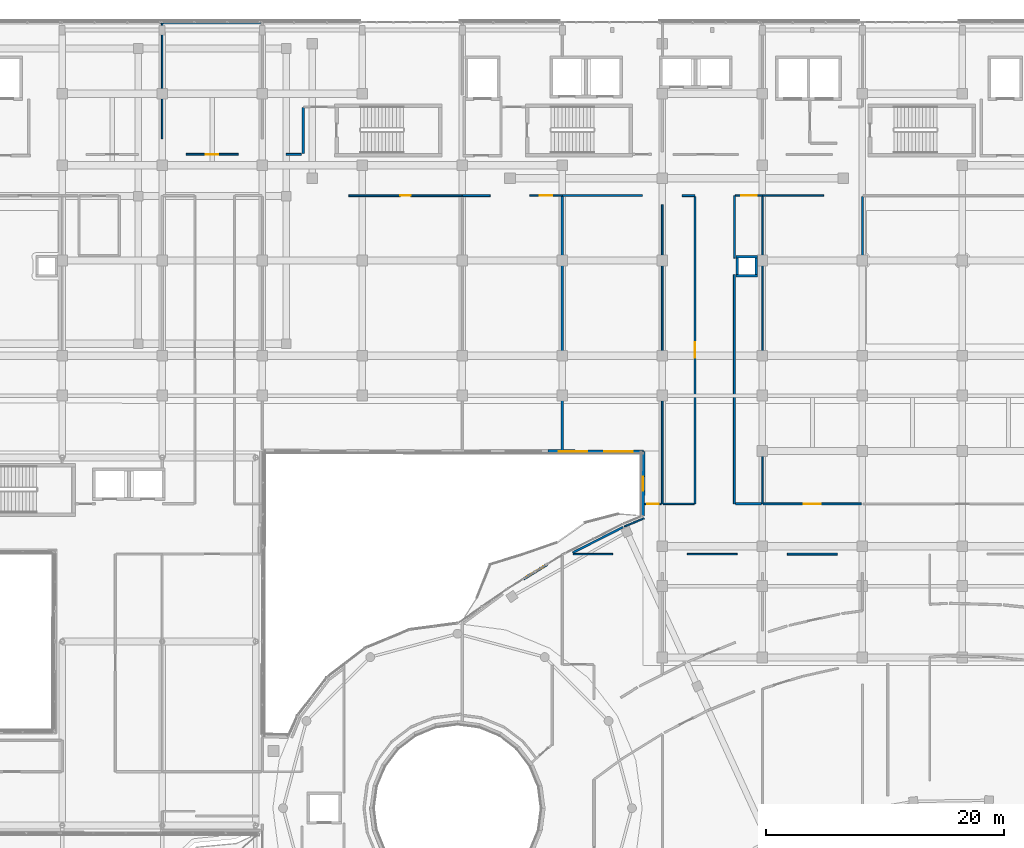
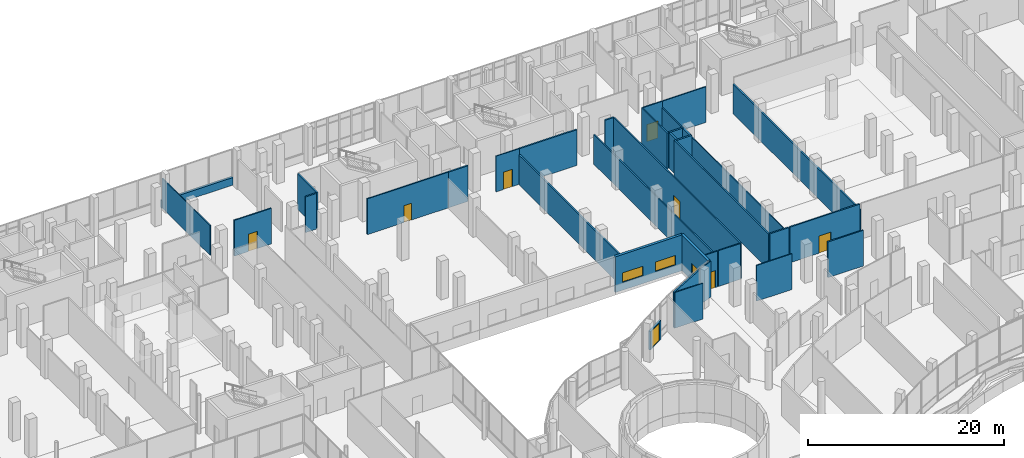
# One storey, part 147 of 168: 35 walls, 8 doors, 3 windows, 11 openings.
"""IFC4 building model written with IfcOpenShell, lengths in metres."""

from ifc_helpers import new_model, si_unit, direction, frame, frame_2d, origin, place, context, subcontext, project, spatial, rectangle, extrude, material, layer, layer_set, type_object, element, fill, save


model = new_model("IFC4")

# Units and contexts
model_context = context("Model", 3, precision=1e-05, world=origin(), true_north=direction((0.0, 1.0)))
body_context = subcontext(model_context, "Body", "Model", "MODEL_VIEW")
ifc_project = project(units=[si_unit("LENGTHUNIT", "METRE"), si_unit("AREAUNIT", "SQUARE_METRE"), si_unit("VOLUMEUNIT", "CUBIC_METRE"), si_unit("PLANEANGLEUNIT", "RADIAN"), si_unit("MASSUNIT", "GRAM", prefix="KILO")], contexts=[model_context])

# Site, building, storey
site_placement = place(None, origin())
site = spatial("IfcSite", under=ifc_project, at=site_placement, CompositionType="ELEMENT")
building_placement = place(site_placement, origin())
building = spatial("IfcBuilding", under=site, at=building_placement, Name="Selatvlak General Hospital", CompositionType="ELEMENT")
storey_placement = place(building_placement, frame((0.0, 0.0, 5.39990234375)))
storey = spatial("IfcBuildingStorey", under=building, at=storey_placement, Name="L01", CompositionType="ELEMENT", Elevation=5.39990234375)

# Wall, opening, window
ifc_material_1 = material(Name="Precast concrete C40/50 - white fair-faced", Category="concrete")
ifc_layer_1 = layer(ifc_material_1, 0.300048828125, Name="Precast concrete C40/50 - white fair-faced", Category="concrete")
ifc_layer_set_1 = layer_set([ifc_layer_1], Name="Precast concrete C40/50 - white fair-faced")
wall_type_1 = type_object("IfcWallType", Name="WALL-EW-01", PredefinedType="SOLIDWALL", material=ifc_layer_set_1)
wall_1_placement = place(storey_placement, frame((113.56298828125, 78.552001953125, 0.0), z_axis=(0.0, 0.0, 1.0), x_axis=(0.006887325881, 0.99997628209, 0.0)))
wall_1 = element("IfcWall", 1, at=wall_1_placement, inside=storey, type_object=wall_type_1, Name="L01 exterior wall 0241", PredefinedType="SOLIDWALL", context=body_context, shape_type="SweptSolid", body=[
    extrude(rectangle(XDim=5.38818359375, YDim=0.300048828125, at=frame_2d((2.694091796875, 0.0))), origin(), (0.0, 0.0, 1.0), 4.445068359375),
])
opening_1_placement = place(wall_1_placement, frame((2.093994140625, 0.0, 0.9599609375)))
opening_1 = element("IfcOpeningElement", 2, at=opening_1_placement, cuts=wall_1, Name="Opening WN-27", PredefinedType="OPENING", context=body_context, shape_type="SweptSolid", body=[
    extrude(rectangle(XDim=1.199951171875, YDim=1.199951171875, at=frame_2d((0.60009765625, 0.60009765625))), frame((0.0, 0.159912109375, 0.0), z_axis=(0.0, -1.0, 0.0), x_axis=(1.0, 0.0, 0.0)), (0.0, 0.0, 1.0), 0.320068359375),
])
ifc_material_2 = material(Name="Thermally broken aluminium Low-E window", Category="aluminium")
window_type_1 = type_object("IfcWindowType", Name="WIN-WN-27", PartitioningType="SINGLE_PANEL", PredefinedType="WINDOW", material=ifc_material_2)
window_1_placement = place(opening_1_placement, origin())
window_1 = element("IfcWindow", 3, at=window_1_placement, inside=storey, type_object=window_type_1, Name="L01 clinical facade window 0026", OverallHeight=1.199951171875, OverallWidth=1.199951171875, PartitioningType="SINGLE_PANEL", PredefinedType="WINDOW", context=body_context, shape_type="SweptSolid", body=[
    extrude(rectangle(XDim=1.199951171875, YDim=1.199951171875, at=frame_2d((0.60009765625, 0.60009765625))), frame((0.0, 0.030029296875, 0.0), z_axis=(0.0, -1.0, 0.0), x_axis=(1.0, 0.0, 0.0)), (0.0, 0.0, 1.0), 0.06005859375),
])
fill(opening_1, window_1)

# Wall, openings, windows
wall_2_placement = place(storey_placement, frame((113.60009765625, 83.93994140625, 0.0), z_axis=(0.0, 0.0, 1.0), x_axis=(-0.99999820332, 0.001895615269, 0.0)))
wall_2 = element("IfcWall", 4, at=wall_2_placement, inside=storey, type_object=wall_type_1, Name="L01 exterior wall 0242", PredefinedType="SOLIDWALL", context=body_context, shape_type="SweptSolid", body=[
    extrude(rectangle(XDim=7.985107421875, YDim=0.300048828125, at=frame_2d((3.99267578125, 0.0))), origin(), (0.0, 0.0, 1.0), 4.445068359375),
])
opening_2_placement = place(wall_2_placement, frame((0.8759765625, 0.0, 0.9599609375)))
opening_2 = element("IfcOpeningElement", 5, at=opening_2_placement, cuts=wall_2, Name="Opening WN-29", PredefinedType="OPENING", context=body_context, shape_type="SweptSolid", body=[
    extrude(rectangle(XDim=2.39990234375, YDim=1.199951171875, at=frame_2d((1.199951171875, 0.60009765625))), frame((0.0, 0.159912109375, 0.0), z_axis=(0.0, -1.0, 0.0), x_axis=(1.0, 0.0, 0.0)), (0.0, 0.0, 1.0), 0.320068359375),
])
opening_3_placement = place(wall_2_placement, frame((4.708984375, 0.0, 0.9599609375)))
opening_3 = element("IfcOpeningElement", 6, at=opening_3_placement, cuts=wall_2, Name="Opening WN-29", PredefinedType="OPENING", context=body_context, shape_type="SweptSolid", body=[
    extrude(rectangle(XDim=2.39990234375, YDim=1.199951171875, at=frame_2d((1.199951171875, 0.60009765625))), frame((0.0, 0.159912109375, 0.0), z_axis=(0.0, -1.0, 0.0), x_axis=(1.0, 0.0, 0.0)), (0.0, 0.0, 1.0), 0.320068359375),
])
window_type_2 = type_object("IfcWindowType", Name="WIN-WN-29", PartitioningType="SINGLE_PANEL", PredefinedType="WINDOW", material=ifc_material_2)
window_2_placement = place(opening_2_placement, origin())
window_2 = element("IfcWindow", 7, at=window_2_placement, inside=storey, type_object=window_type_2, Name="L01 Bauhaus ribbon window 0027", OverallHeight=1.199951171875, OverallWidth=2.39990234375, PartitioningType="SINGLE_PANEL", PredefinedType="WINDOW", context=body_context, shape_type="SweptSolid", body=[
    extrude(rectangle(XDim=2.39990234375, YDim=1.199951171875, at=frame_2d((1.199951171875, 0.60009765625))), frame((0.0, 0.030029296875, 0.0), z_axis=(0.0, -1.0, 0.0), x_axis=(1.0, 0.0, 0.0)), (0.0, 0.0, 1.0), 0.06005859375),
])
fill(opening_2, window_2)
window_3_placement = place(opening_3_placement, origin())
window_3 = element("IfcWindow", 8, at=window_3_placement, inside=storey, type_object=window_type_2, Name="L01 Bauhaus ribbon window 0028", OverallHeight=1.199951171875, OverallWidth=2.39990234375, PartitioningType="SINGLE_PANEL", PredefinedType="WINDOW", context=body_context, shape_type="SweptSolid", body=[
    extrude(rectangle(XDim=2.39990234375, YDim=1.199951171875, at=frame_2d((1.199951171875, 0.60009765625))), frame((0.0, 0.030029296875, 0.0), z_axis=(0.0, -1.0, 0.0), x_axis=(1.0, 0.0, 0.0)), (0.0, 0.0, 1.0), 0.06005859375),
])
fill(opening_3, window_3)

# Wall
ifc_material_3 = material(Name="Precast concrete C40/50 - white Bauhaus spandrel", Category="concrete")
ifc_layer_2 = layer(ifc_material_3, 0.280029296875, Name="Precast concrete C40/50 - white Bauhaus spandrel", Category="concrete")
ifc_layer_set_2 = layer_set([ifc_layer_2], Name="Precast concrete C40/50 - white Bauhaus spandrel")
wall_type_2 = type_object("IfcWallType", Name="WALL-EW-02", PredefinedType="SOLIDWALL", material=ifc_layer_set_2)
wall_3_placement = place(storey_placement, frame((73.06201171875, 119.9990234375, 0.0), z_axis=(0.0, 0.0, 1.0), x_axis=(1.0, 0.0, 0.0)))
element("IfcWall", 9, at=wall_3_placement, inside=storey, type_object=wall_type_2, Name="L01 Bauhaus spandrel sill wall 0212", PredefinedType="SOLIDWALL", context=body_context, shape_type="SweptSolid", body=[
    extrude(rectangle(XDim=8.3759765625, YDim=0.280029296875, at=frame_2d((4.18798828125, 0.0))), origin(), (0.0, 0.0, 1.0), 0.940185546875),
])

# Wall, opening, door
ifc_layer_3 = layer(ifc_material_1, 0.239990234375, Name="Precast concrete C40/50 - white fair-faced", Category="concrete")
ifc_layer_set_3 = layer_set([ifc_layer_3], Name="Precast concrete C40/50 - white fair-faced")
wall_type_3 = type_object("IfcWallType", Name="WALL-EW-04", PredefinedType="SOLIDWALL", material=ifc_layer_set_3)
wall_4_placement = place(storey_placement, frame((103.555908203125, 73.258056640625, 0.0), z_axis=(0.0, 0.0, 1.0), x_axis=(0.85044606758, 0.526062245498, 0.0)))
wall_4 = element("IfcWall", 10, at=wall_4_placement, inside=storey, type_object=wall_type_3, Name="L01 S-curve glazed balcony door frame 0240", PredefinedType="SOLIDWALL", context=body_context, shape_type="SweptSolid", body=[
    extrude(rectangle(XDim=2.300048828125, YDim=0.239990234375, at=frame_2d((1.14990234375, 0.0))), origin(), (0.0, 0.0, 1.0), 2.320068359375),
])
opening_4_placement = place(wall_4_placement, frame((0.35009765625, 0.0, 0.0)))
opening_4 = element("IfcOpeningElement", 11, at=opening_4_placement, cuts=wall_4, Name="Opening DE-05", PredefinedType="OPENING", context=body_context, shape_type="SweptSolid", body=[
    extrude(rectangle(XDim=1.60009765625, YDim=2.199951171875, at=frame_2d((0.800048828125, 1.10009765625))), frame((0.0, 0.1298828125, 0.0), z_axis=(0.0, -1.0, 0.0), x_axis=(1.0, 0.0, 0.0)), (0.0, 0.0, 1.0), 0.260009765625),
])
ifc_material_4 = material(Name="Anodised aluminium balcony double door", Category="aluminium")
door_type_1 = type_object("IfcDoorType", Name="DOOR-DE-05", OperationType="DOUBLE_DOOR_SINGLE_SWING", PredefinedType="DOOR", material=ifc_material_4)
door_1_placement = place(opening_4_placement, origin())
door_1 = element("IfcDoor", 12, at=door_1_placement, inside=storey, type_object=door_type_1, Name="L01 clinic balcony double door 23", OperationType="DOUBLE_DOOR_SINGLE_SWING", OverallHeight=2.199951171875, OverallWidth=1.60009765625, PredefinedType="DOOR", context=body_context, shape_type="SweptSolid", body=[
    extrude(rectangle(XDim=1.60009765625, YDim=2.199951171875, at=frame_2d((0.800048828125, 1.10009765625))), frame((0.0, 0.02490234375, 0.0), z_axis=(0.0, -1.0, 0.0), x_axis=(1.0, 0.0, 0.0)), (0.0, 0.0, 1.0), 0.050048828125),
])
fill(opening_4, door_1)

# Walls
ifc_material_5 = material(Name="Concrete C40/50", Category="concrete")
ifc_layer_4 = layer(ifc_material_5, 0.199951171875, Name="Concrete C40/50", Category="concrete")
ifc_layer_set_4 = layer_set([ifc_layer_4], Name="Concrete C40/50")
wall_type_4 = type_object("IfcWallType", Name="WALL-IW-02", PredefinedType="SOLIDWALL", material=ifc_layer_set_4)
wall_5_placement = place(storey_placement, frame((121.39990234375, 98.699951171875, 0.0), z_axis=(0.0, 0.0, 1.0), x_axis=(1.0, 0.0, 0.0)))
element("IfcWall", 13, at=wall_5_placement, inside=storey, type_object=wall_type_4, Name="Service riser 2 shaft wall L01 S", PredefinedType="SOLIDWALL", context=body_context, shape_type="SweptSolid", body=[
    extrude(rectangle(XDim=1.800048828125, YDim=0.199951171875, at=frame_2d((0.89990234375, 0.0))), origin(), (0.0, 0.0, 1.0), 4.445068359375),
])
wall_6_placement = place(storey_placement, frame((123.10009765625, 98.800048828125, 0.0), z_axis=(0.0, 0.0, 1.0), x_axis=(0.0, 1.0, 0.0)))
element("IfcWall", 14, at=wall_6_placement, inside=storey, type_object=wall_type_4, Name="Service riser 2 shaft wall L01 E", PredefinedType="SOLIDWALL", context=body_context, shape_type="SweptSolid", body=[
    extrude(rectangle(XDim=1.39990234375, YDim=0.199951171875, at=frame_2d((0.699951171875, 0.0))), origin(), (0.0, 0.0, 1.0), 4.445068359375),
])
wall_7_placement = place(storey_placement, frame((123.199951171875, 100.300048828125, 0.0), z_axis=(0.0, 0.0, 1.0), x_axis=(-1.0, 0.0, 0.0)))
element("IfcWall", 15, at=wall_7_placement, inside=storey, type_object=wall_type_4, Name="Service riser 2 shaft wall L01 N", PredefinedType="SOLIDWALL", context=body_context, shape_type="SweptSolid", body=[
    extrude(rectangle(XDim=1.800048828125, YDim=0.199951171875, at=frame_2d((0.89990234375, 0.0))), origin(), (0.0, 0.0, 1.0), 4.445068359375),
])
wall_8_placement = place(storey_placement, frame((121.5, 100.199951171875, 0.0), z_axis=(0.0, 0.0, 1.0), x_axis=(0.0, -1.0, 0.0)))
element("IfcWall", 16, at=wall_8_placement, inside=storey, type_object=wall_type_4, Name="Service riser 2 shaft wall L01 W", PredefinedType="SOLIDWALL", context=body_context, shape_type="SweptSolid", body=[
    extrude(rectangle(XDim=1.39990234375, YDim=0.199951171875, at=frame_2d((0.699951171875, 0.0))), origin(), (0.0, 0.0, 1.0), 4.445068359375),
])
ifc_material_6 = material(Name="Acoustic gypsum stud partition")
ifc_layer_5 = layer(ifc_material_6, 0.179931640625, Name="Acoustic gypsum stud partition")
ifc_layer_set_5 = layer_set([ifc_layer_5], Name="Acoustic gypsum stud partition")
wall_type_5 = type_object("IfcWallType", Name="WALL-PT-01", PredefinedType="PARTITIONING", material=ifc_layer_set_5)
wall_9_placement = place(storey_placement, frame((111.89501953125, 77.60009765625, 0.0), z_axis=(0.0, 0.0, 1.0), x_axis=(-0.891217321541, -0.453576548982, 0.0)))
element("IfcWall", 17, at=wall_9_placement, inside=storey, type_object=wall_type_5, Name="L01 clinical partition PT-L01-0855", PredefinedType="PARTITIONING", context=body_context, shape_type="SweptSolid", body=[
    extrude(rectangle(XDim=4.73388671875, YDim=0.179931640625, at=frame_2d((2.366943359375, 0.0))), origin(), (0.0, 0.0, 1.0), 4.445068359375),
])
wall_10_placement = place(storey_placement, frame((106.800048828125, 105.384033203125, 0.0), z_axis=(0.0, 0.0, 1.0), x_axis=(0.0, -1.0, 0.0)))
element("IfcWall", 18, at=wall_10_placement, inside=storey, type_object=wall_type_5, Name="L01 clinical partition PT-L01-0955", PredefinedType="PARTITIONING", context=body_context, shape_type="SweptSolid", body=[
    extrude(rectangle(XDim=21.283935546875, YDim=0.179931640625, at=frame_2d((10.64208984375, 0.0))), origin(), (0.0, 0.0, 1.0), 3.695068359375),
])
wall_11_placement = place(storey_placement, frame((106.800048828125, 105.43994140625, 0.0), z_axis=(0.0, 0.0, 1.0), x_axis=(1.0, 0.0, 0.0)))
element("IfcWall", 19, at=wall_11_placement, inside=storey, type_object=wall_type_5, Name="L01 clinical partition PT-L01-0960", PredefinedType="PARTITIONING", context=body_context, shape_type="SweptSolid", body=[
    extrude(rectangle(XDim=6.743896484375, YDim=0.179931640625, at=frame_2d((3.3720703125, 0.0))), origin(), (0.0, 0.0, 1.0), 4.445068359375),
])
wall_12_placement = place(storey_placement, frame((123.5439453125, 79.56005859375, 0.0), z_axis=(0.0, 0.0, 1.0), x_axis=(-1.0, 0.0, 0.0)))
element("IfcWall", 20, at=wall_12_placement, inside=storey, type_object=wall_type_5, Name="L01 clinical partition PT-L01-0965", PredefinedType="PARTITIONING", context=body_context, shape_type="SweptSolid", body=[
    extrude(rectangle(XDim=2.204833984375, YDim=0.179931640625, at=frame_2d((1.1025390625, 0.0))), origin(), (0.0, 0.0, 1.0), 4.445068359375),
])
wall_13_placement = place(storey_placement, frame((132.0, 105.3779296875, 0.0), z_axis=(0.0, 0.0, 1.0), x_axis=(0.0, -1.0, 0.0)))
element("IfcWall", 21, at=wall_13_placement, inside=storey, type_object=wall_type_5, Name="L01 clinical partition PT-L01-0970", PredefinedType="PARTITIONING", context=body_context, shape_type="SweptSolid", body=[
    extrude(rectangle(XDim=25.81787109375, YDim=0.179931640625, at=frame_2d((12.908935546875, 0.0))), origin(), (0.0, 0.0, 1.0), 3.695068359375),
])
wall_14_placement = place(storey_placement, frame((85.0400390625, 112.840087890625, 0.0), z_axis=(0.0, 0.0, 1.0), x_axis=(0.0, -1.0, 0.0)))
element("IfcWall", 22, at=wall_14_placement, inside=storey, type_object=wall_type_5, Name="L01 clinical partition PT-L01-1010", PredefinedType="PARTITIONING", context=body_context, shape_type="SweptSolid", body=[
    extrude(rectangle(XDim=3.8671875, YDim=0.179931640625, at=frame_2d((1.93359375, 0.0))), origin(), (0.0, 0.0, 1.0), 4.445068359375),
])
ifc_layer_6 = layer(ifc_material_6, 0.1650390625, Name="Acoustic gypsum stud partition")
ifc_layer_set_6 = layer_set([ifc_layer_6], Name="Acoustic gypsum stud partition")
wall_type_6 = type_object("IfcWallType", Name="WALL-PT-02", PredefinedType="PARTITIONING", material=ifc_layer_set_6)
wall_15_placement = place(storey_placement, frame((125.7080078125, 75.340087890625, 0.0), z_axis=(0.0, 0.0, 1.0), x_axis=(1.0, 0.0, 0.0)))
element("IfcWall", 23, at=wall_15_placement, inside=storey, type_object=wall_type_6, Name="L01 clinical partition PT-L01-0866", PredefinedType="PARTITIONING", context=body_context, shape_type="SweptSolid", body=[
    extrude(rectangle(XDim=4.18408203125, YDim=0.1650390625, at=frame_2d((2.092041015625, 0.0))), origin(), (0.0, 0.0, 1.0), 4.445068359375),
])
wall_16_placement = place(storey_placement, frame((98.39990234375, 105.43994140625, 0.0), z_axis=(0.0, 0.0, 1.0), x_axis=(1.0, 0.0, 0.0)))
element("IfcWall", 24, at=wall_16_placement, inside=storey, type_object=wall_type_6, Name="L01 clinical partition PT-L01-0956", PredefinedType="PARTITIONING", context=body_context, shape_type="SweptSolid", body=[
    extrude(rectangle(XDim=2.343994140625, YDim=0.1650390625, at=frame_2d((1.171875, 0.0))), origin(), (0.0, 0.0, 1.0), 4.445068359375),
])
wall_17_placement = place(storey_placement, frame((121.260009765625, 79.56005859375, 0.0), z_axis=(0.0, 0.0, 1.0), x_axis=(0.0, 1.0, 0.0)))
element("IfcWall", 25, at=wall_17_placement, inside=storey, type_object=wall_type_6, Name="L01 clinical partition PT-L01-0961", PredefinedType="PARTITIONING", context=body_context, shape_type="SweptSolid", body=[
    extrude(rectangle(XDim=19.239990234375, YDim=0.1650390625, at=frame_2d((9.6201171875, 0.0))), origin(), (0.0, 0.0, 1.0), 4.445068359375),
])
wall_18_placement = place(storey_placement, frame((116.85595703125, 105.43994140625, 0.0), z_axis=(0.0, 0.0, 1.0), x_axis=(1.0, 0.0, 0.0)))
element("IfcWall", 26, at=wall_18_placement, inside=storey, type_object=wall_type_6, Name="L01 clinical partition PT-L01-0966", PredefinedType="PARTITIONING", context=body_context, shape_type="SweptSolid", body=[
    extrude(rectangle(XDim=1.083984375, YDim=0.1650390625, at=frame_2d((0.5419921875, 0.0))), origin(), (0.0, 0.0, 1.0), 4.445068359375),
])

# Wall, opening, door
wall_19_placement = place(storey_placement, frame((131.9140625, 79.56005859375, 0.0), z_axis=(0.0, 0.0, 1.0), x_axis=(-1.0, 0.0, 0.0)))
wall_19 = element("IfcWall", 27, at=wall_19_placement, inside=storey, type_object=wall_type_6, Name="L01 clinical partition PT-L01-0971", PredefinedType="PARTITIONING", context=body_context, shape_type="SweptSolid", body=[
    extrude(rectangle(XDim=8.258056640625, YDim=0.1650390625, at=frame_2d((4.12890625, 0.0))), origin(), (0.0, 0.0, 1.0), 4.445068359375),
])
opening_5_placement = place(wall_19_placement, frame((3.428955078125, 0.0, 0.0)))
opening_5 = element("IfcOpeningElement", 28, at=opening_5_placement, cuts=wall_19, Name="Opening D-11", PredefinedType="OPENING", context=body_context, shape_type="SweptSolid", body=[
    extrude(rectangle(XDim=1.39990234375, YDim=2.14990234375, at=frame_2d((0.699951171875, 1.074951171875))), frame((0.0, 0.092529296875, 0.0), z_axis=(0.0, -1.0, 0.0), x_axis=(1.0, 0.0, 0.0)), (0.0, 0.0, 1.0), 0.18505859375),
])
ifc_material_7 = material(Name="Inpatient suite bed door")
door_type_2 = type_object("IfcDoorType", Name="DOOR-D-11", OperationType="NOTDEFINED", PredefinedType="DOOR", material=ifc_material_7)
door_2_placement = place(opening_5_placement, origin())
door_2 = element("IfcDoor", 29, at=door_2_placement, inside=storey, type_object=door_type_2, Name="L01 Outpatient Specialist Waiting Concourse 56 door", OperationType="SINGLE_SWING_RIGHT", OverallHeight=2.14990234375, OverallWidth=1.39990234375, PredefinedType="DOOR", context=body_context, shape_type="SweptSolid", body=[
    extrude(rectangle(XDim=1.39990234375, YDim=2.14990234375, at=frame_2d((0.699951171875, 1.074951171875))), frame((0.0, 0.02490234375, 0.0), z_axis=(0.0, -1.0, 0.0), x_axis=(1.0, 0.0, 0.0)), (0.0, 0.0, 1.0), 0.050048828125),
])
fill(opening_5, door_2)

# Wall
wall_20_placement = place(storey_placement, frame((84.886962890625, 108.909912109375, 0.0), z_axis=(0.0, 0.0, 1.0), x_axis=(-1.0, 0.0, 0.0)))
element("IfcWall", 30, at=wall_20_placement, inside=storey, type_object=wall_type_6, Name="L01 clinical partition PT-L01-1011", PredefinedType="PARTITIONING", context=body_context, shape_type="SweptSolid", body=[
    extrude(rectangle(XDim=1.27587890625, YDim=0.1650390625, at=frame_2d((0.637939453125, 0.0))), origin(), (0.0, 0.0, 1.0), 4.445068359375),
])

# Wall, opening, door
ifc_layer_7 = layer(ifc_material_6, 0.14990234375, Name="Acoustic gypsum stud partition")
ifc_layer_set_7 = layer_set([ifc_layer_7], Name="Acoustic gypsum stud partition")
wall_type_7 = type_object("IfcWallType", Name="WALL-PT-03", PredefinedType="PARTITIONING", material=ifc_layer_set_7)
wall_21_placement = place(storey_placement, frame((88.8798828125, 105.43994140625, 0.0), z_axis=(0.0, 0.0, 1.0), x_axis=(1.0, 0.0, 0.0)))
wall_21 = element("IfcWall", 31, at=wall_21_placement, inside=storey, type_object=wall_type_7, Name="L01 clinical partition PT-L01-0952", PredefinedType="PARTITIONING", context=body_context, shape_type="SweptSolid", body=[
    extrude(rectangle(XDim=9.52001953125, YDim=0.14990234375, at=frame_2d((4.760009765625, 0.0))), origin(), (0.0, 0.0, 1.0), 4.445068359375),
])
opening_6_placement = place(wall_21_placement, frame((4.31005859375, 0.0, 0.0)))
opening_6 = element("IfcOpeningElement", 32, at=opening_6_placement, cuts=wall_21, Name="Opening D-01", PredefinedType="OPENING", context=body_context, shape_type="SweptSolid", body=[
    extrude(rectangle(XDim=0.89990234375, YDim=2.10009765625, at=frame_2d((0.449951171875, 1.050048828125))), frame((0.0, 0.0849609375, 0.0), z_axis=(0.0, -1.0, 0.0), x_axis=(1.0, 0.0, 0.0)), (0.0, 0.0, 1.0), 0.169921875),
])
ifc_material_8 = material(Name="Hardwood clinical room door", Category="wood")
door_type_3 = type_object("IfcDoorType", Name="DOOR-D-01", OperationType="NOTDEFINED", PredefinedType="DOOR", material=ifc_material_8)
door_3_placement = place(opening_6_placement, origin())
door_3 = element("IfcDoor", 33, at=door_3_placement, inside=storey, type_object=door_type_3, Name="L01 Paediatric Intensive Care Unit 51 door", OperationType="SINGLE_SWING_LEFT", OverallHeight=2.10009765625, OverallWidth=0.89990234375, PredefinedType="DOOR", context=body_context, shape_type="SweptSolid", body=[
    extrude(rectangle(XDim=0.89990234375, YDim=2.10009765625, at=frame_2d((0.449951171875, 1.050048828125))), frame((0.0, 0.02490234375, 0.0), z_axis=(0.0, -1.0, 0.0), x_axis=(1.0, 0.0, 0.0)), (0.0, 0.0, 1.0), 0.050048828125),
])
fill(opening_6, door_3)

# Walls
wall_22_placement = place(storey_placement, frame((115.199951171875, 104.68994140625, 0.0), z_axis=(0.0, 0.0, 1.0), x_axis=(0.0, -1.0, 0.0)))
element("IfcWall", 34, at=wall_22_placement, inside=storey, type_object=wall_type_7, Name="L01 clinical partition PT-L01-0957", PredefinedType="PARTITIONING", context=body_context, shape_type="SweptSolid", body=[
    extrude(rectangle(XDim=25.1298828125, YDim=0.14990234375, at=frame_2d((12.56494140625, 0.0))), origin(), (0.0, 0.0, 1.0), 3.695068359375),
])
wall_23_placement = place(storey_placement, frame((121.260009765625, 100.199951171875, 0.0), z_axis=(0.0, 0.0, 1.0), x_axis=(0.0, 1.0, 0.0)))
element("IfcWall", 35, at=wall_23_placement, inside=storey, type_object=wall_type_7, Name="L01 clinical partition PT-L01-0962", PredefinedType="PARTITIONING", context=body_context, shape_type="SweptSolid", body=[
    extrude(rectangle(XDim=5.239990234375, YDim=0.14990234375, at=frame_2d((2.6201171875, 0.0))), origin(), (0.0, 0.0, 1.0), 4.445068359375),
])

# Wall, opening, door
wall_24_placement = place(storey_placement, frame((117.93994140625, 105.361083984375, 0.0), z_axis=(0.0, 0.0, 1.0), x_axis=(0.0, -1.0, 0.0)))
wall_24 = element("IfcWall", 36, at=wall_24_placement, inside=storey, type_object=wall_type_7, Name="L01 clinical partition PT-L01-0967", PredefinedType="PARTITIONING", context=body_context, shape_type="SweptSolid", body=[
    extrude(rectangle(XDim=25.801025390625, YDim=0.14990234375, at=frame_2d((12.900390625, 0.0))), origin(), (0.0, 0.0, 1.0), 4.445068359375),
])
opening_7_placement = place(wall_24_placement, frame((12.2509765625, 0.0, 0.0)))
opening_7 = element("IfcOpeningElement", 37, at=opening_7_placement, cuts=wall_24, Name="Opening D-24", PredefinedType="OPENING", context=body_context, shape_type="SweptSolid", body=[
    extrude(rectangle(XDim=1.300048828125, YDim=2.14990234375, at=frame_2d((0.64990234375, 1.074951171875))), frame((0.0, 0.0849609375, 0.0), z_axis=(0.0, -1.0, 0.0), x_axis=(1.0, 0.0, 0.0)), (0.0, 0.0, 1.0), 0.169921875),
])
ifc_material_9 = material(Name="Oncology bay door")
door_type_4 = type_object("IfcDoorType", Name="DOOR-D-24", OperationType="NOTDEFINED", PredefinedType="DOOR", material=ifc_material_9)
door_4_placement = place(opening_7_placement, origin())
door_4 = element("IfcDoor", 38, at=door_4_placement, inside=storey, type_object=door_type_4, Name="L01 Critical Care Pharmacy Satellite 55 door", OperationType="SINGLE_SWING_LEFT", OverallHeight=2.14990234375, OverallWidth=1.300048828125, PredefinedType="DOOR", context=body_context, shape_type="SweptSolid", body=[
    extrude(rectangle(XDim=1.300048828125, YDim=2.14990234375, at=frame_2d((0.64990234375, 1.074951171875))), frame((0.0, 0.02490234375, 0.0), z_axis=(0.0, -1.0, 0.0), x_axis=(1.0, 0.0, 0.0)), (0.0, 0.0, 1.0), 0.050048828125),
])
fill(opening_7, door_4)

wall_25_placement = place(storey_placement, frame((79.589111328125, 108.909912109375, 0.0), z_axis=(0.0, 0.0, 1.0), x_axis=(-1.0, 0.0, 0.0)))
wall_25 = element("IfcWall", 39, at=wall_25_placement, inside=storey, type_object=wall_type_7, Name="L01 clinical partition PT-L01-1007", PredefinedType="PARTITIONING", context=body_context, shape_type="SweptSolid", body=[
    extrude(rectangle(XDim=4.378173828125, YDim=0.14990234375, at=frame_2d((2.18896484375, 0.0))), origin(), (0.0, 0.0, 1.0), 4.445068359375),
])
opening_8_placement = place(wall_25_placement, frame((1.6640625, 0.0, 0.0)))
opening_8 = element("IfcOpeningElement", 40, at=opening_8_placement, cuts=wall_25, Name="Opening D-04", PredefinedType="OPENING", context=body_context, shape_type="SweptSolid", body=[
    extrude(rectangle(XDim=1.050048828125, YDim=2.14990234375, at=frame_2d((0.52490234375, 1.074951171875))), frame((0.0, 0.0849609375, 0.0), z_axis=(0.0, -1.0, 0.0), x_axis=(1.0, 0.0, 0.0)), (0.0, 0.0, 1.0), 0.169921875),
])
ifc_material_10 = material(Name="Consultation room door")
door_type_5 = type_object("IfcDoorType", Name="DOOR-D-04", OperationType="NOTDEFINED", PredefinedType="DOOR", material=ifc_material_10)
door_5_placement = place(opening_8_placement, origin())
door_5 = element("IfcDoor", 41, at=door_5_placement, inside=storey, type_object=door_type_5, Name="L01 Family Consultation Room 70 door", OperationType="SINGLE_SWING_LEFT", OverallHeight=2.14990234375, OverallWidth=1.050048828125, PredefinedType="DOOR", context=body_context, shape_type="SweptSolid", body=[
    extrude(rectangle(XDim=1.050048828125, YDim=2.14990234375, at=frame_2d((0.52490234375, 1.074951171875))), frame((0.0, 0.02490234375, 0.0), z_axis=(0.0, -1.0, 0.0), x_axis=(1.0, 0.0, 0.0)), (0.0, 0.0, 1.0), 0.050048828125),
])
fill(opening_8, door_5)

ifc_material_11 = material(Name="Moisture-resistant clinical partition")
ifc_layer_8 = layer(ifc_material_11, 0.135009765625, Name="Moisture-resistant clinical partition")
ifc_layer_set_8 = layer_set([ifc_layer_8], Name="Moisture-resistant clinical partition")
wall_type_8 = type_object("IfcWallType", Name="WALL-PT-04", PredefinedType="PARTITIONING", material=ifc_layer_set_8)
wall_26_placement = place(storey_placement, frame((115.12890625, 79.56005859375, 0.0), z_axis=(0.0, 0.0, 1.0), x_axis=(-1.0, 0.0, 0.0)))
wall_26 = element("IfcWall", 42, at=wall_26_placement, inside=storey, type_object=wall_type_8, Name="L01 clinical partition PT-L01-0958", PredefinedType="PARTITIONING", context=body_context, shape_type="SweptSolid", body=[
    extrude(rectangle(XDim=1.411865234375, YDim=0.135009765625, at=frame_2d((0.7060546875, 0.0))), origin(), (0.0, 0.0, 1.0), 4.445068359375),
])
opening_9_placement = place(wall_26_placement, frame((0.23095703125, 0.0, 0.0)))
opening_9 = element("IfcOpeningElement", 43, at=opening_9_placement, cuts=wall_26, Name="Opening D-02", PredefinedType="OPENING", context=body_context, shape_type="SweptSolid", body=[
    extrude(rectangle(XDim=0.949951171875, YDim=2.10009765625, at=frame_2d((0.47509765625, 1.050048828125))), frame((0.0, 0.077392578125, 0.0), z_axis=(0.0, -1.0, 0.0), x_axis=(1.0, 0.0, 0.0)), (0.0, 0.0, 1.0), 0.155029296875),
])
ifc_material_12 = material(Name="Moisture-resistant en-suite door")
door_type_6 = type_object("IfcDoorType", Name="DOOR-D-02", OperationType="NOTDEFINED", PredefinedType="DOOR", material=ifc_material_12)
door_6_placement = place(opening_9_placement, origin())
door_6 = element("IfcDoor", 44, at=door_6_placement, inside=storey, type_object=door_type_6, Name="L01 Outpatient Specialist Waiting Concourse 53 door", OperationType="SINGLE_SWING_LEFT", OverallHeight=2.10009765625, OverallWidth=0.949951171875, PredefinedType="DOOR", context=body_context, shape_type="SweptSolid", body=[
    extrude(rectangle(XDim=0.949951171875, YDim=2.10009765625, at=frame_2d((0.47509765625, 1.050048828125))), frame((0.0, 0.02490234375, 0.0), z_axis=(0.0, -1.0, 0.0), x_axis=(1.0, 0.0, 0.0)), (0.0, 0.0, 1.0), 0.050048828125),
])
fill(opening_9, door_6)

wall_27_placement = place(storey_placement, frame((121.3310546875, 105.43994140625, 0.0), z_axis=(0.0, 0.0, 1.0), x_axis=(1.0, 0.0, 0.0)))
wall_27 = element("IfcWall", 45, at=wall_27_placement, inside=storey, type_object=wall_type_8, Name="L01 clinical partition PT-L01-0963", PredefinedType="PARTITIONING", context=body_context, shape_type="SweptSolid", body=[
    extrude(rectangle(XDim=2.26904296875, YDim=0.135009765625, at=frame_2d((1.134521484375, 0.0))), origin(), (0.0, 0.0, 1.0), 4.445068359375),
])
opening_10_placement = place(wall_27_placement, frame((0.48388671875, 0.0, 0.0)))
opening_10 = element("IfcOpeningElement", 46, at=opening_10_placement, cuts=wall_27, Name="Opening D-09", PredefinedType="OPENING", context=body_context, shape_type="SweptSolid", body=[
    extrude(rectangle(XDim=1.300048828125, YDim=2.14990234375, at=frame_2d((0.64990234375, 1.074951171875))), frame((0.0, 0.077392578125, 0.0), z_axis=(0.0, -1.0, 0.0), x_axis=(1.0, 0.0, 0.0)), (0.0, 0.0, 1.0), 0.155029296875),
])
ifc_material_13 = material(Name="Outpatient procedure door")
door_type_7 = type_object("IfcDoorType", Name="DOOR-D-09", OperationType="NOTDEFINED", PredefinedType="DOOR", material=ifc_material_13)
door_7_placement = place(opening_10_placement, origin())
door_7 = element("IfcDoor", 47, at=door_7_placement, inside=storey, type_object=door_type_7, Name="L01 Bronchoscopy Treatment Room 54 door", OperationType="SINGLE_SWING_RIGHT", OverallHeight=2.14990234375, OverallWidth=1.300048828125, PredefinedType="DOOR", context=body_context, shape_type="SweptSolid", body=[
    extrude(rectangle(XDim=1.300048828125, YDim=2.14990234375, at=frame_2d((0.64990234375, 1.074951171875))), frame((0.0, 0.02490234375, 0.0), z_axis=(0.0, -1.0, 0.0), x_axis=(1.0, 0.0, 0.0)), (0.0, 0.0, 1.0), 0.050048828125),
])
fill(opening_10, door_7)

# Walls
wall_28_placement = place(storey_placement, frame((117.868896484375, 79.56005859375, 0.0), z_axis=(0.0, 0.0, 1.0), x_axis=(-1.0, 0.0, 0.0)))
element("IfcWall", 48, at=wall_28_placement, inside=storey, type_object=wall_type_8, Name="L01 clinical partition PT-L01-0968", PredefinedType="PARTITIONING", context=body_context, shape_type="SweptSolid", body=[
    extrude(rectangle(XDim=2.597900390625, YDim=0.135009765625, at=frame_2d((1.298828125, 0.0))), origin(), (0.0, 0.0, 1.0), 4.445068359375),
])
ifc_layer_9 = layer(ifc_material_11, 0.1201171875, Name="Moisture-resistant clinical partition")
ifc_layer_set_9 = layer_set([ifc_layer_9], Name="Moisture-resistant clinical partition")
wall_type_9 = type_object("IfcWallType", Name="WALL-PT-05", PredefinedType="PARTITIONING", material=ifc_layer_set_9)
wall_29_placement = place(storey_placement, frame((107.702880859375, 75.340087890625, 0.0), z_axis=(0.0, 0.0, 1.0), x_axis=(1.0, 0.0, 0.0)))
element("IfcWall", 49, at=wall_29_placement, inside=storey, type_object=wall_type_9, Name="L01 clinical partition PT-L01-0849", PredefinedType="PARTITIONING", context=body_context, shape_type="SweptSolid", body=[
    extrude(rectangle(XDim=3.320068359375, YDim=0.1201171875, at=frame_2d((1.66015625, 0.0))), origin(), (0.0, 0.0, 1.0), 4.445068359375),
])
wall_30_placement = place(storey_placement, frame((117.30810546875, 75.340087890625, 0.0), z_axis=(0.0, 0.0, 1.0), x_axis=(1.0, 0.0, 0.0)))
element("IfcWall", 50, at=wall_30_placement, inside=storey, type_object=wall_type_9, Name="L01 clinical partition PT-L01-0859", PredefinedType="PARTITIONING", context=body_context, shape_type="SweptSolid", body=[
    extrude(rectangle(XDim=4.183837890625, YDim=0.1201171875, at=frame_2d((2.091796875, 0.0))), origin(), (0.0, 0.0, 1.0), 4.445068359375),
])

# Wall, opening, door
wall_31_placement = place(storey_placement, frame((104.055908203125, 105.43994140625, 0.0), z_axis=(0.0, 0.0, 1.0), x_axis=(1.0, 0.0, 0.0)))
wall_31 = element("IfcWall", 51, at=wall_31_placement, inside=storey, type_object=wall_type_9, Name="L01 clinical partition PT-L01-0954", PredefinedType="PARTITIONING", context=body_context, shape_type="SweptSolid", body=[
    extrude(rectangle(XDim=2.744140625, YDim=0.1201171875, at=frame_2d((1.3720703125, 0.0))), origin(), (0.0, 0.0, 1.0), 4.445068359375),
])
opening_11_placement = place(wall_31_placement, frame((0.846923828125, 0.0, 0.0)))
opening_11 = element("IfcOpeningElement", 52, at=opening_11_placement, cuts=wall_31, Name="Opening D-04", PredefinedType="OPENING", context=body_context, shape_type="SweptSolid", body=[
    extrude(rectangle(XDim=1.050048828125, YDim=2.14990234375, at=frame_2d((0.52490234375, 1.074951171875))), frame((0.0, 0.070068359375, 0.0), z_axis=(0.0, -1.0, 0.0), x_axis=(1.0, 0.0, 0.0)), (0.0, 0.0, 1.0), 0.14013671875),
])
door_8_placement = place(opening_11_placement, origin())
door_8 = element("IfcDoor", 53, at=door_8_placement, inside=storey, type_object=door_type_5, Name="L01 High Dependency Critical Care Bay 52 door", OperationType="SINGLE_SWING_RIGHT", OverallHeight=2.14990234375, OverallWidth=1.050048828125, PredefinedType="DOOR", context=body_context, shape_type="SweptSolid", body=[
    extrude(rectangle(XDim=1.050048828125, YDim=2.14990234375, at=frame_2d((0.52490234375, 1.074951171875))), frame((0.0, 0.02490234375, 0.0), z_axis=(0.0, -1.0, 0.0), x_axis=(1.0, 0.0, 0.0)), (0.0, 0.0, 1.0), 0.050048828125),
])
fill(opening_11, door_8)

# Walls
wall_32_placement = place(storey_placement, frame((113.675048828125, 78.339111328125, 0.0), z_axis=(0.0, 0.0, 1.0), x_axis=(-0.925581582464, -0.37854819271, 0.0)))
element("IfcWall", 54, at=wall_32_placement, inside=storey, type_object=wall_type_9, Name="L01 clinical partition PT-L01-0959", PredefinedType="PARTITIONING", context=body_context, shape_type="SweptSolid", body=[
    extrude(rectangle(XDim=1.796875, YDim=0.1201171875, at=frame_2d((0.8984375, 0.0))), origin(), (0.0, 0.0, 1.0), 4.445068359375),
])
wall_33_placement = place(storey_placement, frame((123.60009765625, 105.3759765625, 0.0), z_axis=(0.0, 0.0, 1.0), x_axis=(0.0, -1.0, 0.0)))
element("IfcWall", 55, at=wall_33_placement, inside=storey, type_object=wall_type_9, Name="L01 clinical partition PT-L01-0964", PredefinedType="PARTITIONING", context=body_context, shape_type="SweptSolid", body=[
    extrude(rectangle(XDim=25.81591796875, YDim=0.1201171875, at=frame_2d((12.907958984375, 0.0))), origin(), (0.0, 0.0, 1.0), 3.695068359375),
])
wall_34_placement = place(storey_placement, frame((123.60009765625, 105.43994140625, 0.0), z_axis=(0.0, 0.0, 1.0), x_axis=(1.0, 0.0, 0.0)))
element("IfcWall", 56, at=wall_34_placement, inside=storey, type_object=wall_type_9, Name="L01 clinical partition PT-L01-0969", PredefinedType="PARTITIONING", context=body_context, shape_type="SweptSolid", body=[
    extrude(rectangle(XDim=5.143798828125, YDim=0.1201171875, at=frame_2d((2.57177734375, 0.0))), origin(), (0.0, 0.0, 1.0), 4.445068359375),
])
wall_35_placement = place(storey_placement, frame((73.199951171875, 119.95703125, 0.0), z_axis=(0.0, 0.0, 1.0), x_axis=(0.0, -1.0, 0.0)))
element("IfcWall", 57, at=wall_35_placement, inside=storey, type_object=wall_type_9, Name="L01 clinical partition PT-L01-1004", PredefinedType="PARTITIONING", context=body_context, shape_type="SweptSolid", body=[
    extrude(rectangle(XDim=9.7470703125, YDim=0.1201171875, at=frame_2d((4.87353515625, 0.0))), origin(), (0.0, 0.0, 1.0), 3.695068359375),
])

save(model, "model.ifc")
